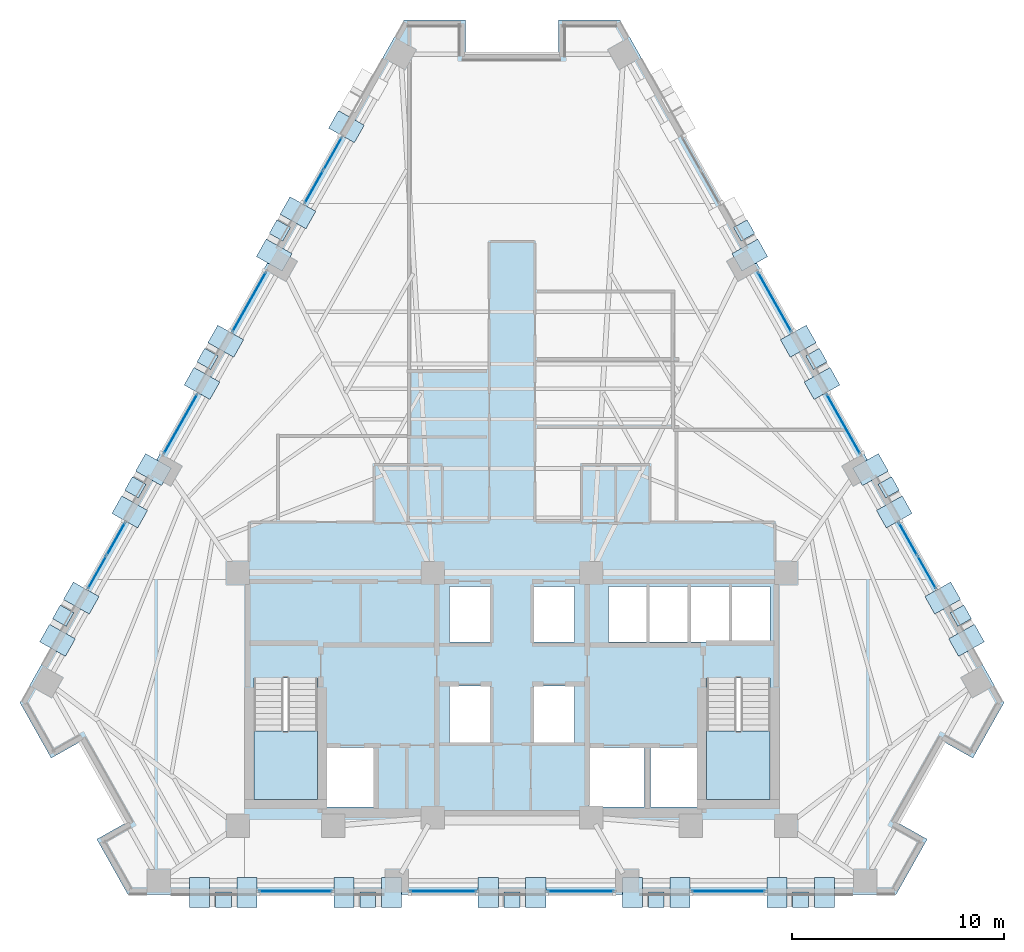
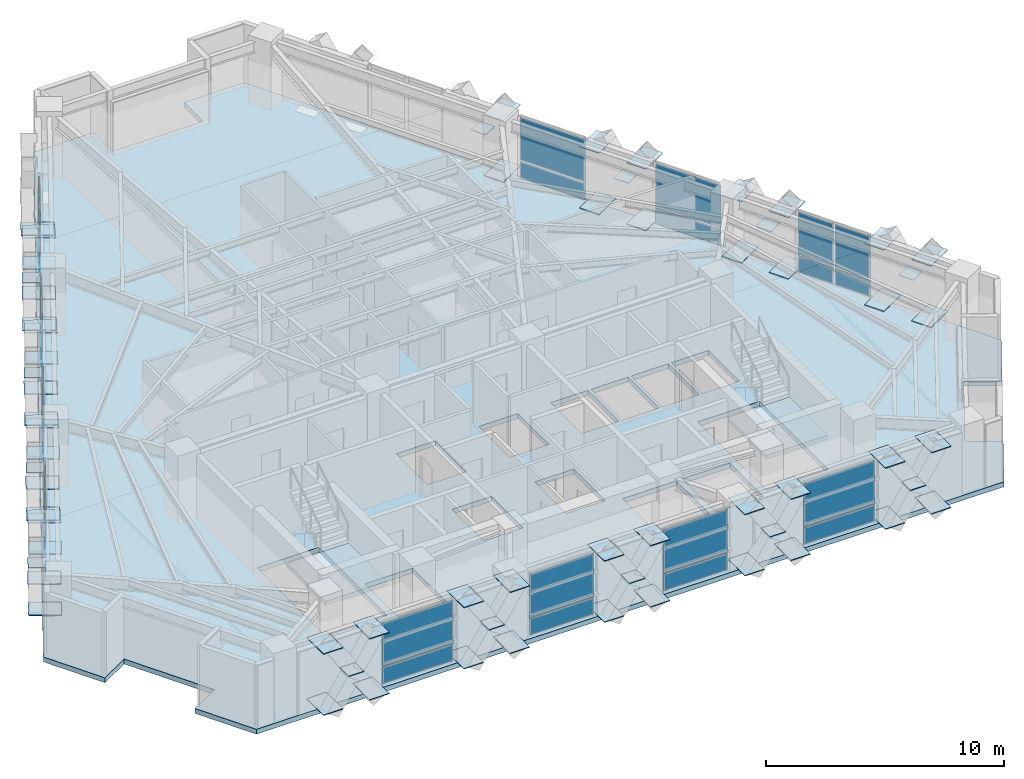
# One storey, part 6 of 14: 92 plates, 3 slabs, 13 elements without a shape of their own.
"""IFC4 building model written with IfcOpenShell, lengths in metres."""

from ifc_helpers import new_model, si_unit, direction, frame, origin, origin_2d, place, context, subcontext, project, spatial, polyline, rectangle, outline, extrude, material, layer, layer_set, type_object, element, aggregate, save


model = new_model("IFC4")

# Units and contexts
model_context = context("Model", 3, precision=1e-05, world=origin(), true_north=direction((0.0, 1.0)))
body_context = subcontext(model_context, "Body", "Model", "MODEL_VIEW")
ifc_project = project(units=[si_unit("LENGTHUNIT", "METRE"), si_unit("AREAUNIT", "SQUARE_METRE"), si_unit("VOLUMEUNIT", "CUBIC_METRE"), si_unit("PLANEANGLEUNIT", "RADIAN"), si_unit("MASSUNIT", "GRAM", prefix="KILO")], contexts=[model_context])

# Site, building, storey
site_placement = place(None, origin())
site = spatial("IfcSite", under=ifc_project, at=site_placement, CompositionType="ELEMENT")
building_placement = place(site_placement, origin())
building = spatial("IfcBuilding", under=site, at=building_placement, Name="Quenlor Broadcast Tower", CompositionType="ELEMENT")
storey_placement = place(building_placement, frame((0.0, 0.0, 112.5)))
storey = spatial("IfcBuildingStorey", under=building, at=storey_placement, Name="L30", CompositionType="ELEMENT", Elevation=112.5)

# Curtain wall, plates
ifc_material_1 = material(Name="Architectural Terracotta and Low-E Glazing", Category="masonry")
curtain_wall_type = type_object("IfcCurtainWallType", Name="Unitised Terracotta Curtain Wall System Z2", PredefinedType="NOTDEFINED", material=ifc_material_1)
curtain_wall_1_placement = place(storey_placement, origin())
curtain_wall_1 = element("IfcCurtainWall", 1, at=curtain_wall_1_placement, inside=storey, type_object=curtain_wall_type, Name="L30 Curtain Wall CW2 (L30-SA-G1)", PredefinedType="NOTDEFINED")
ifc_material_2 = material(Name="Double Glazed Low-E Solar Glass", Category="glass")
ifc_layer_1 = layer(ifc_material_2, 0.030029296875)
ifc_layer_set_1 = layer_set([ifc_layer_1], Name="CW2 Double Glazed Vision Panel 30")
plate_type_1 = type_object("IfcPlateType", Name="CW2 Double Glazed Vision Panel 30", PredefinedType="CURTAIN_PANEL", material=ifc_layer_set_1)
plate_1_placement = place(storey_placement, frame((10.226318359375, -19.840087890625, 0.074951171875), z_axis=(0.0, 0.0, 1.0), x_axis=(-1.0, 0.0, 0.0)))
plate_1 = element("IfcPlate", 2, at=plate_1_placement, type_object=plate_type_1, Name="CW2 panel 1.1", PredefinedType="CURTAIN_PANEL", context=body_context, shape_type="SweptSolid", body=[
    extrude(rectangle(XDim=3.435546875, YDim=0.030029296875, at=origin_2d()), origin(), (0.0, 0.0, 1.0), 0.83740234375),
])
plate_2_placement = place(storey_placement, frame((10.226318359375, -19.840087890625, 0.987548828125), z_axis=(0.0, 0.0, 1.0), x_axis=(-1.0, 0.0, 0.0)))
plate_2 = element("IfcPlate", 3, at=plate_2_placement, type_object=plate_type_1, Name="CW2 panel 1.2", PredefinedType="CURTAIN_PANEL", context=body_context, shape_type="SweptSolid", body=[
    extrude(rectangle(XDim=3.435546875, YDim=0.030029296875, at=origin_2d()), origin(), (0.0, 0.0, 1.0), 2.1875),
])
aggregate(curtain_wall_1, [plate_1, plate_2])

curtain_wall_2_placement = place(storey_placement, origin())
curtain_wall_2 = element("IfcCurtainWall", 4, at=curtain_wall_2_placement, inside=storey, type_object=curtain_wall_type, Name="L30 Curtain Wall CW2 (L30-SC-G1)", PredefinedType="NOTDEFINED")
plate_3_placement = place(storey_placement, frame((-10.226318359375, -19.840087890625, 0.074951171875), z_axis=(0.0, 0.0, 1.0), x_axis=(-1.0, 0.0, 0.0)))
plate_3 = element("IfcPlate", 5, at=plate_3_placement, type_object=plate_type_1, Name="CW2 panel 1.1", PredefinedType="CURTAIN_PANEL", context=body_context, shape_type="SweptSolid", body=[
    extrude(rectangle(XDim=3.435546875, YDim=0.030029296875, at=origin_2d()), origin(), (0.0, 0.0, 1.0), 0.83740234375),
])
plate_4_placement = place(storey_placement, frame((-10.226318359375, -19.840087890625, 0.987548828125), z_axis=(0.0, 0.0, 1.0), x_axis=(-1.0, 0.0, 0.0)))
plate_4 = element("IfcPlate", 6, at=plate_4_placement, type_object=plate_type_1, Name="CW2 panel 1.2", PredefinedType="CURTAIN_PANEL", context=body_context, shape_type="SweptSolid", body=[
    extrude(rectangle(XDim=3.435546875, YDim=0.030029296875, at=origin_2d()), origin(), (0.0, 0.0, 1.0), 2.1875),
])
aggregate(curtain_wall_2, [plate_3, plate_4])

curtain_wall_3_placement = place(storey_placement, origin())
curtain_wall_3 = element("IfcCurtainWall", 7, at=curtain_wall_3_placement, inside=storey, type_object=curtain_wall_type, Name="L30 Curtain Wall CW2 (L30-S-G1)", PredefinedType="NOTDEFINED")
plate_5_placement = place(storey_placement, frame((3.24462890625, -19.840087890625, 0.074951171875), z_axis=(0.0, 0.0, 1.0), x_axis=(-1.0, 0.0, 0.0)))
plate_5 = element("IfcPlate", 8, at=plate_5_placement, type_object=plate_type_1, Name="CW2 panel 1.1", PredefinedType="CURTAIN_PANEL", context=body_context, shape_type="SweptSolid", body=[
    extrude(rectangle(XDim=3.107177734375, YDim=0.030029296875, at=origin_2d()), origin(), (0.0, 0.0, 1.0), 0.83740234375),
])
plate_6_placement = place(storey_placement, frame((3.24462890625, -19.840087890625, 0.987548828125), z_axis=(0.0, 0.0, 1.0), x_axis=(-1.0, 0.0, 0.0)))
plate_6 = element("IfcPlate", 9, at=plate_6_placement, type_object=plate_type_1, Name="CW2 panel 1.2", PredefinedType="CURTAIN_PANEL", context=body_context, shape_type="SweptSolid", body=[
    extrude(rectangle(XDim=3.107177734375, YDim=0.030029296875, at=origin_2d()), origin(), (0.0, 0.0, 1.0), 2.1875),
])
aggregate(curtain_wall_3, [plate_5, plate_6])

curtain_wall_4_placement = place(storey_placement, origin())
curtain_wall_4 = element("IfcCurtainWall", 10, at=curtain_wall_4_placement, inside=storey, type_object=curtain_wall_type, Name="L30 Curtain Wall CW2 (L30-S-G2)", PredefinedType="NOTDEFINED")
plate_7_placement = place(storey_placement, frame((-3.24462890625, -19.840087890625, 0.074951171875), z_axis=(0.0, 0.0, 1.0), x_axis=(-1.0, 0.0, 0.0)))
plate_7 = element("IfcPlate", 11, at=plate_7_placement, type_object=plate_type_1, Name="CW2 panel 1.1", PredefinedType="CURTAIN_PANEL", context=body_context, shape_type="SweptSolid", body=[
    extrude(rectangle(XDim=3.107177734375, YDim=0.030029296875, at=origin_2d()), origin(), (0.0, 0.0, 1.0), 0.83740234375),
])
plate_8_placement = place(storey_placement, frame((-3.24462890625, -19.840087890625, 0.987548828125), z_axis=(0.0, 0.0, 1.0), x_axis=(-1.0, 0.0, 0.0)))
plate_8 = element("IfcPlate", 12, at=plate_8_placement, type_object=plate_type_1, Name="CW2 panel 1.2", PredefinedType="CURTAIN_PANEL", context=body_context, shape_type="SweptSolid", body=[
    extrude(rectangle(XDim=3.107177734375, YDim=0.030029296875, at=origin_2d()), origin(), (0.0, 0.0, 1.0), 2.1875),
])
aggregate(curtain_wall_4, [plate_7, plate_8])

curtain_wall_5_placement = place(storey_placement, origin())
curtain_wall_5 = element("IfcCurtainWall", 13, at=curtain_wall_5_placement, inside=storey, type_object=curtain_wall_type, Name="L30 Curtain Wall CW2 (L30-NEC-G1)", PredefinedType="NOTDEFINED")
plate_9_placement = place(storey_placement, frame((18.712646484375, -3.193359375, 0.074951171875), z_axis=(0.0, 0.0, 1.0), x_axis=(0.490276701018, -0.871566839915, 0.0)))
plate_9 = element("IfcPlate", 14, at=plate_9_placement, type_object=plate_type_1, Name="CW2 panel 1.1", PredefinedType="CURTAIN_PANEL", context=body_context, shape_type="SweptSolid", body=[
    extrude(rectangle(XDim=1.72998046875, YDim=0.030029296875, at=origin_2d()), origin(), (0.0, 0.0, 1.0), 0.83740234375),
])
plate_10_placement = place(storey_placement, frame((18.712646484375, -3.193359375, 0.987548828125), z_axis=(0.0, 0.0, 1.0), x_axis=(0.490276701018, -0.871566839915, 0.0)))
plate_10 = element("IfcPlate", 15, at=plate_10_placement, type_object=plate_type_1, Name="CW2 panel 1.2", PredefinedType="CURTAIN_PANEL", context=body_context, shape_type="SweptSolid", body=[
    extrude(rectangle(XDim=1.72998046875, YDim=0.030029296875, at=origin_2d()), origin(), (0.0, 0.0, 1.0), 2.1875),
])
plate_11_placement = place(storey_placement, frame((19.59765625, -4.7666015625, 0.074951171875), z_axis=(0.0, 0.0, 1.0), x_axis=(0.490276701018, -0.871566839915, 0.0)))
plate_11 = element("IfcPlate", 16, at=plate_11_placement, type_object=plate_type_1, Name="CW2 panel 2.1", PredefinedType="CURTAIN_PANEL", context=body_context, shape_type="SweptSolid", body=[
    extrude(rectangle(XDim=1.72998046875, YDim=0.030029296875, at=origin_2d()), origin(), (0.0, 0.0, 1.0), 0.83740234375),
])
plate_12_placement = place(storey_placement, frame((19.59765625, -4.7666015625, 0.987548828125), z_axis=(0.0, 0.0, 1.0), x_axis=(0.490276701018, -0.871566839915, 0.0)))
plate_12 = element("IfcPlate", 17, at=plate_12_placement, type_object=plate_type_1, Name="CW2 panel 2.2", PredefinedType="CURTAIN_PANEL", context=body_context, shape_type="SweptSolid", body=[
    extrude(rectangle(XDim=1.72998046875, YDim=0.030029296875, at=origin_2d()), origin(), (0.0, 0.0, 1.0), 2.1875),
])
aggregate(curtain_wall_5, [plate_9, plate_10, plate_11, plate_12])

curtain_wall_6_placement = place(storey_placement, origin())
curtain_wall_6 = element("IfcCurtainWall", 18, at=curtain_wall_6_placement, inside=storey, type_object=curtain_wall_type, Name="L30 Curtain Wall CW2 (L30-NE-G1)", PredefinedType="NOTDEFINED")
plate_13_placement = place(storey_placement, frame((12.412841796875, 8.00634765625, 0.074951171875), z_axis=(0.0, 0.0, 1.0), x_axis=(0.490261239636, -0.871575537123, 0.0)))
plate_13 = element("IfcPlate", 19, at=plate_13_placement, type_object=plate_type_1, Name="CW2 panel 1.1", PredefinedType="CURTAIN_PANEL", context=body_context, shape_type="SweptSolid", body=[
    extrude(rectangle(XDim=3.19287109375, YDim=0.030029296875, at=origin_2d()), origin(), (0.0, 0.0, 1.0), 0.83740234375),
])
plate_14_placement = place(storey_placement, frame((12.412841796875, 8.00634765625, 0.987548828125), z_axis=(0.0, 0.0, 1.0), x_axis=(0.490261239636, -0.871575537123, 0.0)))
plate_14 = element("IfcPlate", 20, at=plate_14_placement, type_object=plate_type_1, Name="CW2 panel 1.2", PredefinedType="CURTAIN_PANEL", context=body_context, shape_type="SweptSolid", body=[
    extrude(rectangle(XDim=3.19287109375, YDim=0.030029296875, at=origin_2d()), origin(), (0.0, 0.0, 1.0), 2.1875),
])
aggregate(curtain_wall_6, [plate_13, plate_14])

curtain_wall_7_placement = place(storey_placement, origin())
curtain_wall_7 = element("IfcCurtainWall", 21, at=curtain_wall_7_placement, inside=storey, type_object=curtain_wall_type, Name="L30 Curtain Wall CW2 (L30-NE-G2)", PredefinedType="NOTDEFINED")
plate_15_placement = place(storey_placement, frame((15.658203125, 2.23681640625, 0.074951171875), z_axis=(0.0, 0.0, 1.0), x_axis=(0.490261239636, -0.871575537123, 0.0)))
plate_15 = element("IfcPlate", 22, at=plate_15_placement, type_object=plate_type_1, Name="CW2 panel 1.1", PredefinedType="CURTAIN_PANEL", context=body_context, shape_type="SweptSolid", body=[
    extrude(rectangle(XDim=3.19287109375, YDim=0.030029296875, at=origin_2d()), origin(), (0.0, 0.0, 1.0), 0.83740234375),
])
plate_16_placement = place(storey_placement, frame((15.658203125, 2.23681640625, 0.987548828125), z_axis=(0.0, 0.0, 1.0), x_axis=(0.490261239636, -0.871575537123, 0.0)))
plate_16 = element("IfcPlate", 23, at=plate_16_placement, type_object=plate_type_1, Name="CW2 panel 1.2", PredefinedType="CURTAIN_PANEL", context=body_context, shape_type="SweptSolid", body=[
    extrude(rectangle(XDim=3.19287109375, YDim=0.030029296875, at=origin_2d()), origin(), (0.0, 0.0, 1.0), 2.1875),
])
aggregate(curtain_wall_7, [plate_15, plate_16])

curtain_wall_8_placement = place(storey_placement, origin())
curtain_wall_8 = element("IfcCurtainWall", 24, at=curtain_wall_8_placement, inside=storey, type_object=curtain_wall_type, Name="L30 Curtain Wall CW2 (L30-NWA-G1)", PredefinedType="NOTDEFINED")
plate_17_placement = place(storey_placement, frame((-19.59765625, -4.7666015625, 0.074951171875), z_axis=(0.0, 0.0, 1.0), x_axis=(0.490276701018, 0.871566839915, 0.0)))
plate_17 = element("IfcPlate", 25, at=plate_17_placement, type_object=plate_type_1, Name="CW2 panel 1.1", PredefinedType="CURTAIN_PANEL", context=body_context, shape_type="SweptSolid", body=[
    extrude(rectangle(XDim=1.72998046875, YDim=0.030029296875, at=origin_2d()), origin(), (0.0, 0.0, 1.0), 0.83740234375),
])
plate_18_placement = place(storey_placement, frame((-19.59765625, -4.7666015625, 0.987548828125), z_axis=(0.0, 0.0, 1.0), x_axis=(0.490276701018, 0.871566839915, 0.0)))
plate_18 = element("IfcPlate", 26, at=plate_18_placement, type_object=plate_type_1, Name="CW2 panel 1.2", PredefinedType="CURTAIN_PANEL", context=body_context, shape_type="SweptSolid", body=[
    extrude(rectangle(XDim=1.72998046875, YDim=0.030029296875, at=origin_2d()), origin(), (0.0, 0.0, 1.0), 2.1875),
])
plate_19_placement = place(storey_placement, frame((-18.712646484375, -3.193359375, 0.074951171875), z_axis=(0.0, 0.0, 1.0), x_axis=(0.490276701018, 0.871566839915, 0.0)))
plate_19 = element("IfcPlate", 27, at=plate_19_placement, type_object=plate_type_1, Name="CW2 panel 2.1", PredefinedType="CURTAIN_PANEL", context=body_context, shape_type="SweptSolid", body=[
    extrude(rectangle(XDim=1.72998046875, YDim=0.030029296875, at=origin_2d()), origin(), (0.0, 0.0, 1.0), 0.83740234375),
])
plate_20_placement = place(storey_placement, frame((-18.712646484375, -3.193359375, 0.987548828125), z_axis=(0.0, 0.0, 1.0), x_axis=(0.490276701018, 0.871566839915, 0.0)))
plate_20 = element("IfcPlate", 28, at=plate_20_placement, type_object=plate_type_1, Name="CW2 panel 2.2", PredefinedType="CURTAIN_PANEL", context=body_context, shape_type="SweptSolid", body=[
    extrude(rectangle(XDim=1.72998046875, YDim=0.030029296875, at=origin_2d()), origin(), (0.0, 0.0, 1.0), 2.1875),
])
aggregate(curtain_wall_8, [plate_17, plate_18, plate_19, plate_20])

curtain_wall_9_placement = place(storey_placement, origin())
curtain_wall_9 = element("IfcCurtainWall", 29, at=curtain_wall_9_placement, inside=storey, type_object=curtain_wall_type, Name="L30 Curtain Wall CW2 (L30-NWC-G1)", PredefinedType="NOTDEFINED")
plate_21_placement = place(storey_placement, frame((-9.3583984375, 13.4365234375, 0.074951171875), z_axis=(0.0, 0.0, 1.0), x_axis=(0.490265104904, 0.871573362898, 0.0)))
plate_21 = element("IfcPlate", 30, at=plate_21_placement, type_object=plate_type_1, Name="CW2 panel 1.1", PredefinedType="CURTAIN_PANEL", context=body_context, shape_type="SweptSolid", body=[
    extrude(rectangle(XDim=1.72998046875, YDim=0.030029296875, at=origin_2d()), origin(), (0.0, 0.0, 1.0), 0.83740234375),
])
plate_22_placement = place(storey_placement, frame((-9.3583984375, 13.4365234375, 0.987548828125), z_axis=(0.0, 0.0, 1.0), x_axis=(0.490265104904, 0.871573362898, 0.0)))
plate_22 = element("IfcPlate", 31, at=plate_22_placement, type_object=plate_type_1, Name="CW2 panel 1.2", PredefinedType="CURTAIN_PANEL", context=body_context, shape_type="SweptSolid", body=[
    extrude(rectangle(XDim=1.72998046875, YDim=0.030029296875, at=origin_2d()), origin(), (0.0, 0.0, 1.0), 2.1875),
])
plate_23_placement = place(storey_placement, frame((-8.473388671875, 15.009765625, 0.074951171875), z_axis=(0.0, 0.0, 1.0), x_axis=(0.490265104904, 0.871573362898, 0.0)))
plate_23 = element("IfcPlate", 32, at=plate_23_placement, type_object=plate_type_1, Name="CW2 panel 2.1", PredefinedType="CURTAIN_PANEL", context=body_context, shape_type="SweptSolid", body=[
    extrude(rectangle(XDim=1.72998046875, YDim=0.030029296875, at=origin_2d()), origin(), (0.0, 0.0, 1.0), 0.83740234375),
])
plate_24_placement = place(storey_placement, frame((-8.473388671875, 15.009765625, 0.987548828125), z_axis=(0.0, 0.0, 1.0), x_axis=(0.490265104904, 0.871573362898, 0.0)))
plate_24 = element("IfcPlate", 33, at=plate_24_placement, type_object=plate_type_1, Name="CW2 panel 2.2", PredefinedType="CURTAIN_PANEL", context=body_context, shape_type="SweptSolid", body=[
    extrude(rectangle(XDim=1.72998046875, YDim=0.030029296875, at=origin_2d()), origin(), (0.0, 0.0, 1.0), 2.1875),
])
aggregate(curtain_wall_9, [plate_21, plate_22, plate_23, plate_24])

curtain_wall_10_placement = place(storey_placement, origin())
curtain_wall_10 = element("IfcCurtainWall", 34, at=curtain_wall_10_placement, inside=storey, type_object=curtain_wall_type, Name="L30 Curtain Wall CW2 (L30-NW-G1)", PredefinedType="NOTDEFINED")
plate_25_placement = place(storey_placement, frame((-15.658203125, 2.23681640625, 0.074951171875), z_axis=(0.0, 0.0, 1.0), x_axis=(0.490261239636, 0.871575537123, 0.0)))
plate_25 = element("IfcPlate", 35, at=plate_25_placement, type_object=plate_type_1, Name="CW2 panel 1.1", PredefinedType="CURTAIN_PANEL", context=body_context, shape_type="SweptSolid", body=[
    extrude(rectangle(XDim=3.19287109375, YDim=0.030029296875, at=origin_2d()), origin(), (0.0, 0.0, 1.0), 0.83740234375),
])
plate_26_placement = place(storey_placement, frame((-15.658203125, 2.23681640625, 0.987548828125), z_axis=(0.0, 0.0, 1.0), x_axis=(0.490261239636, 0.871575537123, 0.0)))
plate_26 = element("IfcPlate", 36, at=plate_26_placement, type_object=plate_type_1, Name="CW2 panel 1.2", PredefinedType="CURTAIN_PANEL", context=body_context, shape_type="SweptSolid", body=[
    extrude(rectangle(XDim=3.19287109375, YDim=0.030029296875, at=origin_2d()), origin(), (0.0, 0.0, 1.0), 2.1875),
])
aggregate(curtain_wall_10, [plate_25, plate_26])

curtain_wall_11_placement = place(storey_placement, origin())
curtain_wall_11 = element("IfcCurtainWall", 37, at=curtain_wall_11_placement, inside=storey, type_object=curtain_wall_type, Name="L30 Curtain Wall CW2 (L30-NW-G2)", PredefinedType="NOTDEFINED")
plate_27_placement = place(storey_placement, frame((-12.412841796875, 8.00634765625, 0.074951171875), z_axis=(0.0, 0.0, 1.0), x_axis=(0.490261239636, 0.871575537123, 0.0)))
plate_27 = element("IfcPlate", 38, at=plate_27_placement, type_object=plate_type_1, Name="CW2 panel 1.1", PredefinedType="CURTAIN_PANEL", context=body_context, shape_type="SweptSolid", body=[
    extrude(rectangle(XDim=3.19287109375, YDim=0.030029296875, at=origin_2d()), origin(), (0.0, 0.0, 1.0), 0.83740234375),
])
plate_28_placement = place(storey_placement, frame((-12.412841796875, 8.00634765625, 0.987548828125), z_axis=(0.0, 0.0, 1.0), x_axis=(0.490261239636, 0.871575537123, 0.0)))
plate_28 = element("IfcPlate", 39, at=plate_28_placement, type_object=plate_type_1, Name="CW2 panel 1.2", PredefinedType="CURTAIN_PANEL", context=body_context, shape_type="SweptSolid", body=[
    extrude(rectangle(XDim=3.19287109375, YDim=0.030029296875, at=origin_2d()), origin(), (0.0, 0.0, 1.0), 2.1875),
])
aggregate(curtain_wall_11, [plate_27, plate_28])

# Plates
ifc_material_3 = material(Name="Steel S355", Category="steel")
ifc_layer_2 = layer(ifc_material_3, 0.028076171875)
ifc_layer_set_2 = layer_set([ifc_layer_2], Name="Perimeter Lattice Node Steel S355 Cap Plate 740x740x28")
plate_type_2 = type_object("IfcPlateType", Name="Perimeter Lattice Node Steel S355 Cap Plate 740x740x28", PredefinedType="USERDEFINED", material=ifc_layer_set_2)
for number, where, z_axis, x_axis, name in (
    (40, (13.63525390625, -20.235107421875, 1.61572265625), (0.0, 0.0, 1.0), (-1.0, 0.0, 0.0), "L30 Diamond Lattice Crossing Node S-C1"),
    (41, (6.817626953125, -20.235107421875, 1.61572265625), (0.0, 0.0, 1.0), (-1.0, 0.0, 0.0), "L30 Diamond Lattice Crossing Node S-C2"),
    (42, (0.0, -20.235107421875, 1.61572265625), (0.0, 0.0, 1.0), (-1.0, 0.0, 0.0), "L30 Diamond Lattice Crossing Node S-C3"),
    (43, (-6.817626953125, -20.235107421875, 1.61572265625), (0.0, 0.0, 1.0), (-1.0, 0.0, 0.0), "L30 Diamond Lattice Crossing Node S-C4"),
    (44, (-13.63525390625, -20.235107421875, 1.61572265625), (0.0, 0.0, 1.0), (-1.0, 0.0, 0.0), "L30 Diamond Lattice Crossing Node S-C5"),
    (45, (10.966796875, 11.383056640625, 1.61572265625), (0.0, 0.0, 1.0), (0.490295412055, -0.871556314255, 0.0), "L30 Diamond Lattice Crossing Node NE-C2"),
    (46, (14.3798828125, 5.315185546875, 1.61572265625), (0.0, 0.0, 1.0), (0.490295412055, -0.871556314255, 0.0), "L30 Diamond Lattice Crossing Node NE-C3"),
    (47, (17.79296875, -0.75244140625, 1.61572265625), (0.0, 0.0, 1.0), (0.490295412055, -0.871556314255, 0.0), "L30 Diamond Lattice Crossing Node NE-C4"),
    (48, (21.2060546875, -6.820068359375, 1.61572265625), (0.0, 0.0, 1.0), (0.490295412055, -0.871556314255, 0.0), "L30 Diamond Lattice Crossing Node NE-C5"),
    (49, (-21.2060546875, -6.820068359375, 1.61572265625), (0.0, 0.0, 1.0), (0.490295412055, 0.871556314255, 0.0), "L30 Diamond Lattice Crossing Node NW-C1"),
    (50, (-17.79296875, -0.75244140625, 1.61572265625), (0.0, 0.0, 1.0), (0.490295412055, 0.871556314255, 0.0), "L30 Diamond Lattice Crossing Node NW-C2"),
    (51, (-14.3798828125, 5.315185546875, 1.61572265625), (0.0, 0.0, 1.0), (0.490295412055, 0.871556314255, 0.0), "L30 Diamond Lattice Crossing Node NW-C3"),
    (52, (-10.966796875, 11.383056640625, 1.61572265625), (0.0, 0.0, 1.0), (0.490295412055, 0.871556314255, 0.0), "L30 Diamond Lattice Crossing Node NW-C4"),
):
    element("IfcPlate", number, at=place(storey_placement, frame(where, z_axis=z_axis, x_axis=x_axis)), inside=storey, type_object=plate_type_2, Name=name, ObjectType="CAP PLATE", PredefinedType="USERDEFINED", context=body_context, shape_type="SweptSolid", body=[
        extrude(rectangle(XDim=0.739990234375, YDim=0.739990234375, at=origin_2d()), origin(), (0.0, 0.0, 1.0), 0.028076171875),
    ])

# Stair, slab
ifc_material_4 = material(Name="Precast concrete C40/50", Category="concrete")
stair_type = type_object("IfcStairType", Name="Precast Concrete C40/50 Dogleg Stair H350", PredefinedType="HALF_TURN_STAIR", material=ifc_material_4)
stair_1_placement = place(storey_placement, origin())
stair_1 = element("IfcStair", 53, at=stair_1_placement, inside=storey, type_object=stair_type, Name="L30 West Core Fire-Isolated Exit Stair ST-1", PredefinedType="HALF_TURN_STAIR")
ifc_material_5 = material(Name="Precast concrete C40/50", Category="concrete")
ifc_layer_3 = layer(ifc_material_5, 0.199951171875)
ifc_layer_set_3 = layer_set([ifc_layer_3], Name="Precast Concrete C40/50 Stair Landing Slab 200")
slab_type_1 = type_object("IfcSlabType", Name="Precast Concrete C40/50 Stair Landing Slab 200", PredefinedType="LANDING", material=ifc_layer_set_3)
slab_1_placement = place(storey_placement, frame((0.0, 0.0, 1.550048828125)))
slab_1 = element("IfcSlab", 54, at=slab_1_placement, type_object=slab_type_1, Name="ST-1 landing 1", PredefinedType="LANDING", context=body_context, shape_type="SweptSolid", body=[
    extrude(outline(polyline([(-12.199951171875, -12.27001953125), (-12.199951171875, -15.5), (-9.199951171875, -15.5), (-9.199951171875, -12.27001953125), (-12.199951171875, -12.27001953125)])), origin(), (0.0, 0.0, 1.0), 0.199951171875),
])
aggregate(stair_1, [slab_1])

stair_2_placement = place(storey_placement, origin())
stair_2 = element("IfcStair", 55, at=stair_2_placement, inside=storey, type_object=stair_type, Name="L30 East Core Fire-Isolated Exit Stair ST-2", PredefinedType="HALF_TURN_STAIR")
slab_2_placement = place(storey_placement, frame((0.0, 0.0, 1.550048828125)))
slab_2 = element("IfcSlab", 56, at=slab_2_placement, type_object=slab_type_1, Name="ST-2 landing 1", PredefinedType="LANDING", context=body_context, shape_type="SweptSolid", body=[
    extrude(outline(polyline([(9.199951171875, -12.27001953125), (9.199951171875, -15.5), (12.199951171875, -15.5), (12.199951171875, -12.27001953125), (9.199951171875, -12.27001953125)])), origin(), (0.0, 0.0, 1.0), 0.199951171875),
])
aggregate(stair_2, [slab_2])

# Slab
ifc_material_6 = material(Name="Concrete C40/50", Category="concrete")
ifc_layer_4 = layer(ifc_material_6, 0.25)
ifc_layer_set_4 = layer_set([ifc_layer_4], Name="Tower Composite Concrete C40/50 Slab 250")
slab_type_2 = type_object("IfcSlabType", Name="Tower Composite Concrete C40/50 Slab 250", PredefinedType="FLOOR", material=ifc_layer_set_4)
slab_3_placement = place(storey_placement, frame((0.0, 0.0, -0.25)))
element("IfcSlab", 57, at=slab_3_placement, inside=storey, type_object=slab_type_2, Name="L30 Structural Floor Slab", PredefinedType="FLOOR", context=body_context, shape_type="SweptSolid", body=[
    extrude(outline(polyline([(18.14404296875, -20.0), (19.616943359375, -17.381591796875), (18.222412109375, -16.596923828125), (20.379638671875, -12.76220703125), (21.774169921875, -13.54638671875), (23.2470703125, -10.927978515625), (5.10302734375, 21.327880859375), (2.199951171875, 21.327880859375), (2.199951171875, 19.72802734375), (-2.199951171875, 19.72802734375), (-2.199951171875, 21.327880859375), (-5.10302734375, 21.327880859375), (-23.2470703125, -10.927978515625), (-21.774169921875, -13.54638671875), (-20.379638671875, -12.76220703125), (-18.222412109375, -16.596923828125), (-19.616943359375, -17.381591796875), (-18.14404296875, -20.0), (18.14404296875, -20.0)]), holes=[polyline([(-12.199951171875, -9.758056640625), (-12.199951171875, -15.5), (-9.199951171875, -15.5), (-9.199951171875, -9.758056640625), (-12.199951171875, -9.758056640625)]), polyline([(9.199951171875, -9.758056640625), (9.199951171875, -15.5), (12.199951171875, -15.5), (12.199951171875, -9.758056640625), (9.199951171875, -9.758056640625)]), polyline([(-2.949951171875, -8.050048828125), (-1.050048828125, -8.050048828125), (-1.050048828125, -5.449951171875), (-2.949951171875, -5.449951171875), (-2.949951171875, -8.050048828125)]), polyline([(1.050048828125, -8.050048828125), (2.949951171875, -8.050048828125), (2.949951171875, -5.449951171875), (1.050048828125, -5.449951171875), (1.050048828125, -8.050048828125)]), polyline([(-2.949951171875, -12.800048828125), (-1.050048828125, -12.800048828125), (-1.050048828125, -10.14990234375), (-2.949951171875, -10.14990234375), (-2.949951171875, -12.800048828125)]), polyline([(1.050048828125, -12.800048828125), (2.949951171875, -12.800048828125), (2.949951171875, -10.14990234375), (1.050048828125, -10.14990234375), (1.050048828125, -12.800048828125)]), polyline([(4.550048828125, -8.050048828125), (6.35009765625, -8.050048828125), (6.35009765625, -5.449951171875), (4.550048828125, -5.449951171875), (4.550048828125, -8.050048828125)]), polyline([(6.5, -8.050048828125), (8.300048828125, -8.050048828125), (8.300048828125, -5.449951171875), (6.5, -5.449951171875), (6.5, -8.050048828125)]), polyline([(8.449951171875, -8.050048828125), (10.25, -8.050048828125), (10.25, -5.449951171875), (8.449951171875, -5.449951171875), (8.449951171875, -8.050048828125)]), polyline([(10.39990234375, -8.050048828125), (12.199951171875, -8.050048828125), (12.199951171875, -5.449951171875), (10.39990234375, -5.449951171875), (10.39990234375, -8.050048828125)]), polyline([(-8.85009765625, -15.85009765625), (-6.550048828125, -15.85009765625), (-6.550048828125, -13.050048828125), (-8.85009765625, -13.050048828125), (-8.85009765625, -15.85009765625)]), polyline([(6.550048828125, -15.85009765625), (8.85009765625, -15.85009765625), (8.85009765625, -13.050048828125), (6.550048828125, -13.050048828125), (6.550048828125, -15.85009765625)]), polyline([(3.64990234375, -15.85009765625), (6.25, -15.85009765625), (6.25, -13.050048828125), (3.64990234375, -13.050048828125), (3.64990234375, -15.85009765625)])]), origin(), (0.0, 0.0, 1.0), 0.25),
])

# Plates
ifc_material_7 = material(Name="Steel S355", Category="steel")
ifc_layer_5 = layer(ifc_material_7, 0.035888671875)
ifc_layer_set_5 = layer_set([ifc_layer_5], Name="Transfer Truss Steel S355 Gusset Node Plate 1400x950x36")
plate_type_3 = type_object("IfcPlateType", Name="Transfer Truss Steel S355 Gusset Node Plate 1400x950x36", PredefinedType="SHEET", material=ifc_layer_set_5)
for number, where, z_axis, x_axis, name in (
    (58, (14.7578125, -19.89990234375, 0.0419921875), (0.0, 0.0, 1.0), (0.0, -1.0, 0.0), "L30 Lattice Tie Gusset Node S-B1"),
    (59, (12.5126953125, -19.89990234375, 3.18212890625), (0.0, 0.0, 1.0), (0.0, -1.0, 0.0), "L30 Lattice Tie Gusset Node S-T2"),
    (60, (12.5126953125, -19.89990234375, 0.0419921875), (0.0, 0.0, 1.0), (0.0, -1.0, 0.0), "L30 Lattice Tie Gusset Node S-B2"),
    (61, (14.7578125, -19.89990234375, 3.18212890625), (0.0, 0.0, 1.0), (0.0, -1.0, 0.0), "L30 Lattice Tie Gusset Node S-T1"),
    (62, (7.940185546875, -19.89990234375, 0.0419921875), (0.0, 0.0, 1.0), (0.0, -1.0, 0.0), "L30 Lattice Tie Gusset Node S-B4"),
    (63, (5.695068359375, -19.89990234375, 3.18212890625), (0.0, 0.0, 1.0), (0.0, -1.0, 0.0), "L30 Lattice Tie Gusset Node S-T5"),
    (64, (5.695068359375, -19.89990234375, 0.0419921875), (0.0, 0.0, 1.0), (0.0, -1.0, 0.0), "L30 Lattice Tie Gusset Node S-B5"),
    (65, (7.940185546875, -19.89990234375, 3.18212890625), (0.0, 0.0, 1.0), (0.0, -1.0, 0.0), "L30 Lattice Tie Gusset Node S-T4"),
    (66, (1.12255859375, -19.89990234375, 0.0419921875), (0.0, 0.0, 1.0), (0.0, -1.0, 0.0), "L30 Lattice Tie Gusset Node S-B7"),
    (67, (-1.12255859375, -19.89990234375, 3.18212890625), (0.0, 0.0, 1.0), (0.0, -1.0, 0.0), "L30 Lattice Tie Gusset Node S-T8"),
    (68, (-1.12255859375, -19.89990234375, 0.0419921875), (0.0, 0.0, 1.0), (0.0, -1.0, 0.0), "L30 Lattice Tie Gusset Node S-B8"),
    (69, (1.12255859375, -19.89990234375, 3.18212890625), (0.0, 0.0, 1.0), (0.0, -1.0, 0.0), "L30 Lattice Tie Gusset Node S-T7"),
    (70, (-5.695068359375, -19.89990234375, 0.0419921875), (0.0, 0.0, 1.0), (0.0, -1.0, 0.0), "L30 Lattice Tie Gusset Node S-B10"),
    (71, (-7.940185546875, -19.89990234375, 3.18212890625), (0.0, 0.0, 1.0), (0.0, -1.0, 0.0), "L30 Lattice Tie Gusset Node S-T11"),
    (72, (-7.940185546875, -19.89990234375, 0.0419921875), (0.0, 0.0, 1.0), (0.0, -1.0, 0.0), "L30 Lattice Tie Gusset Node S-B11"),
    (73, (-5.695068359375, -19.89990234375, 3.18212890625), (0.0, 0.0, 1.0), (0.0, -1.0, 0.0), "L30 Lattice Tie Gusset Node S-T10"),
    (74, (-12.5126953125, -19.89990234375, 0.0419921875), (0.0, 0.0, 1.0), (0.0, -1.0, 0.0), "L30 Lattice Tie Gusset Node S-B13"),
    (75, (-14.7578125, -19.89990234375, 3.18212890625), (0.0, 0.0, 1.0), (0.0, -1.0, 0.0), "L30 Lattice Tie Gusset Node S-T14"),
    (76, (-14.7578125, -19.89990234375, 0.0419921875), (0.0, 0.0, 1.0), (0.0, -1.0, 0.0), "L30 Lattice Tie Gusset Node S-B14"),
    (77, (-12.5126953125, -19.89990234375, 3.18212890625), (0.0, 0.0, 1.0), (0.0, -1.0, 0.0), "L30 Lattice Tie Gusset Node S-T13"),
    (78, (11.23681640625, 10.219482421875, 3.18212890625), (0.0, 0.0, 1.0), (0.871556314255, 0.490295412055, 0.0), "L30 Lattice Tie Gusset Node NE-T5"),
    (79, (11.23681640625, 10.219482421875, 0.0419921875), (0.0, 0.0, 1.0), (0.871556314255, 0.490295412055, 0.0), "L30 Lattice Tie Gusset Node NE-B5"),
    (80, (13.52587890625, 6.150146484375, 0.0419921875), (0.0, 0.0, 1.0), (0.871556314255, 0.490295412055, 0.0), "L30 Lattice Tie Gusset Node NE-B7"),
    (81, (14.64990234375, 4.15185546875, 3.18212890625), (0.0, 0.0, 1.0), (0.871556314255, 0.490295412055, 0.0), "L30 Lattice Tie Gusset Node NE-T8"),
    (82, (14.64990234375, 4.15185546875, 0.0419921875), (0.0, 0.0, 1.0), (0.871556314255, 0.490295412055, 0.0), "L30 Lattice Tie Gusset Node NE-B8"),
    (83, (13.52587890625, 6.150146484375, 3.18212890625), (0.0, 0.0, 1.0), (0.871556314255, 0.490295412055, 0.0), "L30 Lattice Tie Gusset Node NE-T7"),
    (84, (16.93896484375, 0.08251953125, 0.0419921875), (0.0, 0.0, 1.0), (0.871556314255, 0.490295412055, 0.0), "L30 Lattice Tie Gusset Node NE-B10"),
    (85, (18.06298828125, -1.915771484375, 3.18212890625), (0.0, 0.0, 1.0), (0.871556314255, 0.490295412055, 0.0), "L30 Lattice Tie Gusset Node NE-T11"),
    (86, (18.06298828125, -1.915771484375, 0.0419921875), (0.0, 0.0, 1.0), (0.871556314255, 0.490295412055, 0.0), "L30 Lattice Tie Gusset Node NE-B11"),
    (87, (16.93896484375, 0.08251953125, 3.18212890625), (0.0, 0.0, 1.0), (0.871556314255, 0.490295412055, 0.0), "L30 Lattice Tie Gusset Node NE-T10"),
    (88, (20.351806640625, -5.985107421875, 0.0419921875), (0.0, 0.0, 1.0), (0.871556314255, 0.490295412055, 0.0), "L30 Lattice Tie Gusset Node NE-B13"),
    (89, (21.47607421875, -7.9833984375, 3.18212890625), (0.0, 0.0, 1.0), (0.871556314255, 0.490295412055, 0.0), "L30 Lattice Tie Gusset Node NE-T14"),
    (90, (21.47607421875, -7.9833984375, 0.0419921875), (0.0, 0.0, 1.0), (0.871556314255, 0.490295412055, 0.0), "L30 Lattice Tie Gusset Node NE-B14"),
    (91, (20.351806640625, -5.985107421875, 3.18212890625), (0.0, 0.0, 1.0), (0.871556314255, 0.490295412055, 0.0), "L30 Lattice Tie Gusset Node NE-T13"),
    (92, (-21.47607421875, -7.9833984375, 0.0419921875), (0.0, 0.0, 1.0), (-0.871556314255, 0.490295412055, 0.0), "L30 Lattice Tie Gusset Node NW-B1"),
    (93, (-20.351806640625, -5.985107421875, 3.18212890625), (0.0, 0.0, 1.0), (-0.871556314255, 0.490295412055, 0.0), "L30 Lattice Tie Gusset Node NW-T2"),
    (94, (-20.351806640625, -5.985107421875, 0.0419921875), (0.0, 0.0, 1.0), (-0.871556314255, 0.490295412055, 0.0), "L30 Lattice Tie Gusset Node NW-B2"),
    (95, (-21.47607421875, -7.9833984375, 3.18212890625), (0.0, 0.0, 1.0), (-0.871556314255, 0.490295412055, 0.0), "L30 Lattice Tie Gusset Node NW-T1"),
    (96, (-18.06298828125, -1.915771484375, 0.0419921875), (0.0, 0.0, 1.0), (-0.871556314255, 0.490295412055, 0.0), "L30 Lattice Tie Gusset Node NW-B4"),
    (97, (-16.93896484375, 0.08251953125, 3.18212890625), (0.0, 0.0, 1.0), (-0.871556314255, 0.490295412055, 0.0), "L30 Lattice Tie Gusset Node NW-T5"),
    (98, (-16.93896484375, 0.08251953125, 0.0419921875), (0.0, 0.0, 1.0), (-0.871556314255, 0.490295412055, 0.0), "L30 Lattice Tie Gusset Node NW-B5"),
    (99, (-18.06298828125, -1.915771484375, 3.18212890625), (0.0, 0.0, 1.0), (-0.871556314255, 0.490295412055, 0.0), "L30 Lattice Tie Gusset Node NW-T4"),
    (100, (-14.64990234375, 4.15185546875, 0.0419921875), (0.0, 0.0, 1.0), (-0.871556314255, 0.490295412055, 0.0), "L30 Lattice Tie Gusset Node NW-B7"),
    (101, (-13.52587890625, 6.150146484375, 3.18212890625), (0.0, 0.0, 1.0), (-0.871556314255, 0.490295412055, 0.0), "L30 Lattice Tie Gusset Node NW-T8"),
    (102, (-13.52587890625, 6.150146484375, 0.0419921875), (0.0, 0.0, 1.0), (-0.871556314255, 0.490295412055, 0.0), "L30 Lattice Tie Gusset Node NW-B8"),
    (103, (-14.64990234375, 4.15185546875, 3.18212890625), (0.0, 0.0, 1.0), (-0.871556314255, 0.490295412055, 0.0), "L30 Lattice Tie Gusset Node NW-T7"),
    (104, (-11.23681640625, 10.219482421875, 0.0419921875), (0.0, 0.0, 1.0), (-0.871556314255, 0.490295412055, 0.0), "L30 Lattice Tie Gusset Node NW-B10"),
    (105, (-10.11279296875, 12.218017578125, 3.18212890625), (0.0, 0.0, 1.0), (-0.871556314255, 0.490295412055, 0.0), "L30 Lattice Tie Gusset Node NW-T11"),
    (106, (-10.11279296875, 12.218017578125, 0.0419921875), (0.0, 0.0, 1.0), (-0.871556314255, 0.490295412055, 0.0), "L30 Lattice Tie Gusset Node NW-B11"),
    (107, (-11.23681640625, 10.219482421875, 3.18212890625), (0.0, 0.0, 1.0), (-0.871556314255, 0.490295412055, 0.0), "L30 Lattice Tie Gusset Node NW-T10"),
    (108, (-7.823486328125, 16.287353515625, 0.0419921875), (0.0, 0.0, 1.0), (-0.871556314255, 0.490295412055, 0.0), "L30 Lattice Tie Gusset Node NW-B13"),
):
    element("IfcPlate", number, at=place(storey_placement, frame(where, z_axis=z_axis, x_axis=x_axis)), inside=storey, type_object=plate_type_3, Name=name, PredefinedType="SHEET", context=body_context, shape_type="SweptSolid", body=[
        extrude(rectangle(XDim=1.39990234375, YDim=0.949951171875, at=origin_2d()), origin(), (0.0, 0.0, 1.0), 0.035888671875),
    ])

save(model, "model.ifc")
